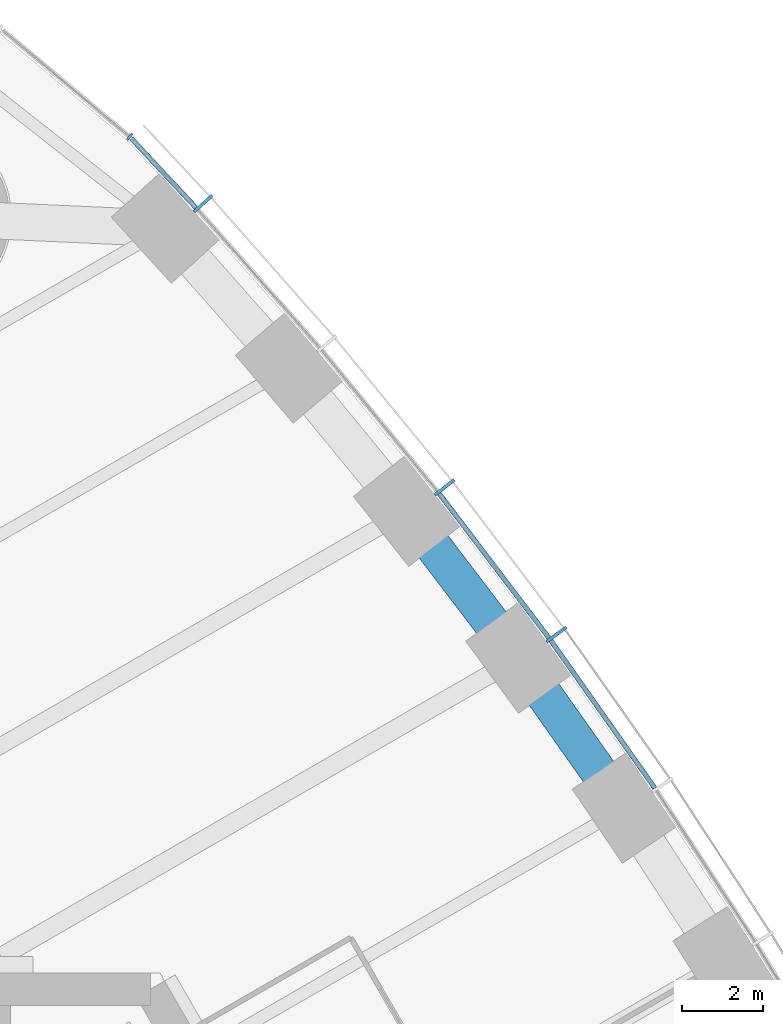
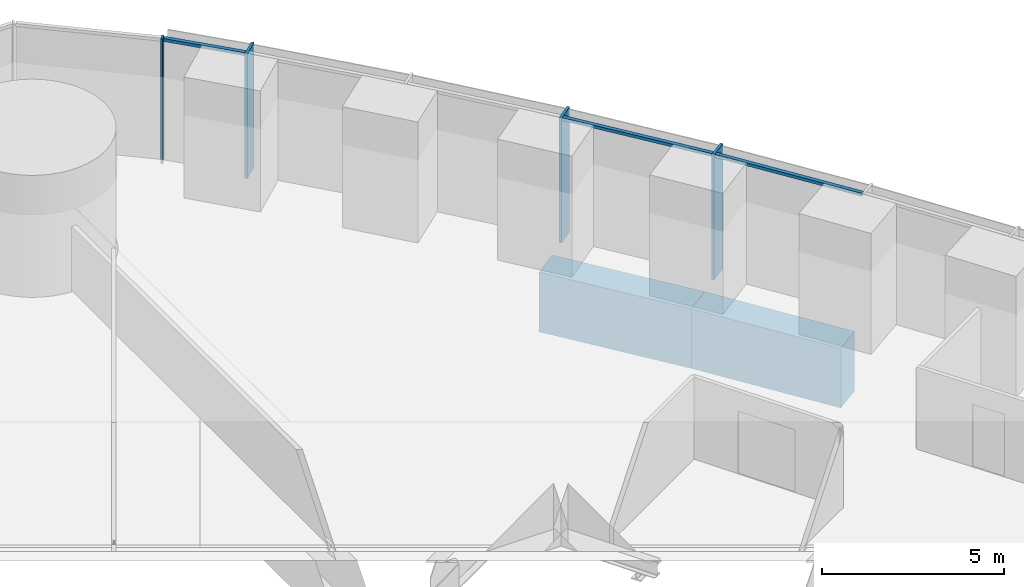
# One storey, part 6 of 18: 7 members, 2 beams, 2 elements without a shape of their own.
"""IFC4 building model written with IfcOpenShell, lengths in metres."""

from ifc_helpers import new_model, si_unit, direction, frame, origin, origin_2d, place, context, subcontext, project, spatial, rectangle, extrude, material, material_profile, profile_set, type_object, element, aggregate, save


model = new_model("IFC4")

# Units and contexts
model_context = context("Model", 3, precision=1e-05, world=origin(), true_north=direction((0.0, 1.0)))
body_context = subcontext(model_context, "Body", "Model", "MODEL_VIEW")
ifc_project = project(units=[si_unit("LENGTHUNIT", "METRE"), si_unit("AREAUNIT", "SQUARE_METRE"), si_unit("VOLUMEUNIT", "CUBIC_METRE"), si_unit("PLANEANGLEUNIT", "RADIAN"), si_unit("MASSUNIT", "GRAM", prefix="KILO")], contexts=[model_context])

# Site, building, storey
site_placement = place(None, origin())
site = spatial("IfcSite", under=ifc_project, at=site_placement, CompositionType="ELEMENT")
building_placement = place(site_placement, origin())
building = spatial("IfcBuilding", under=site, at=building_placement, Name="Trefoil Bronze Tower", CompositionType="ELEMENT")
storey_placement = place(building_placement, frame((0.0, 0.0, 111.5)))
storey = spatial("IfcBuildingStorey", under=building, at=storey_placement, Name="L25", CompositionType="ELEMENT", Elevation=111.5)

# Curtain wall, members
ifc_material_1 = material(Name="Tinted solar-control glass", Category="glass")
curtain_wall_type_1 = type_object("IfcCurtainWallType", Name="Bronze office curtain wall", PredefinedType="USERDEFINED", material=ifc_material_1)
curtain_wall_1_placement = place(storey_placement, origin())
curtain_wall_1 = element("IfcCurtainWall", 1, at=curtain_wall_1_placement, inside=storey, type_object=curtain_wall_type_1, Name="CW-A L25 F2", ObjectType="CURTAIN WALL", PredefinedType="USERDEFINED")
ifc_material_2 = material(Name="Bronze-finish aluminium", Category="aluminium")
ifc_material_profile_1 = material_profile(ifc_material_2, rectangle(XDim=0.60009765625, YDim=0.080078125, at=origin_2d()), Name="CW-A mullion")
ifc_profile_set_1 = profile_set([ifc_material_profile_1], Name="Bronze-finish aluminium")
member_type_1 = type_object("IfcMemberType", Name="Bronze office curtain wall mullion", PredefinedType="MULLION", material=ifc_profile_set_1)
member_1_placement = place(storey_placement, frame((15.764404296875, 24.7275390625, 0.0), z_axis=(0.0, 0.0, 1.0), x_axis=(-0.806874522901, -0.590722865897, 0.0)))
member_1 = element("IfcMember", 2, at=member_1_placement, type_object=member_type_1, Name="CW-A L25 F2 mullion 11", PredefinedType="MULLION", context=body_context, shape_type="SweptSolid", body=[
    extrude(rectangle(XDim=0.60009765625, YDim=0.080078125, at=origin_2d()), origin(), (0.0, 0.0, 1.0), 4.179931640625),
])
member_2_placement = place(storey_placement, frame((13.01220703125, 28.34716796875, 0.0), z_axis=(0.0, 0.0, 1.0), x_axis=(-0.78487913905, -0.619648882098, 0.0)))
member_2 = element("IfcMember", 3, at=member_2_placement, type_object=member_type_1, Name="CW-A L25 F2 mullion 12", PredefinedType="MULLION", context=body_context, shape_type="SweptSolid", body=[
    extrude(rectangle(XDim=0.60009765625, YDim=0.080078125, at=origin_2d()), origin(), (0.0, 0.0, 1.0), 4.179931640625),
])
member_3_placement = place(storey_placement, frame((7.070068359375, 35.332275390625, 0.0), z_axis=(0.0, 0.0, 1.0), x_axis=(-0.740360700327, -0.672209813534, 0.0)))
member_3 = element("IfcMember", 4, at=member_3_placement, type_object=member_type_1, Name="CW-A L25 F2 mullion 14", PredefinedType="MULLION", context=body_context, shape_type="SweptSolid", body=[
    extrude(rectangle(XDim=0.60009765625, YDim=0.080078125, at=origin_2d()), origin(), (0.0, 0.0, 1.0), 4.179931640625),
])
ifc_material_3 = material(Name="Bronze-finish aluminium", Category="aluminium")
ifc_material_profile_2 = material_profile(ifc_material_3, rectangle(XDim=0.1201171875, YDim=0.10009765625, at=origin_2d()), Name="CW-A transom")
ifc_profile_set_2 = profile_set([ifc_material_profile_2], Name="Bronze-finish aluminium")
member_type_2 = type_object("IfcMemberType", Name="Bronze office curtain wall transom", PredefinedType="USERDEFINED", material=ifc_profile_set_2)
member_4_placement = place(storey_placement, frame((18.18359375, 20.947021484375, 4.1298828125), z_axis=(-0.576017858824, 0.817437108478, 0.0), x_axis=(-0.817437108478, -0.576017858824, 0.0)))
member_4 = element("IfcMember", 5, at=member_4_placement, type_object=member_type_2, Name="CW-A L25 F2 transom 10", ObjectType="TRANSOM", PredefinedType="USERDEFINED", context=body_context, shape_type="SweptSolid", body=[
    extrude(rectangle(XDim=0.1201171875, YDim=0.10009765625, at=origin_2d()), origin(), (0.0, 0.0, 1.0), 4.4384765625),
])
member_5_placement = place(storey_placement, frame((15.57763671875, 24.642578125, 4.1298828125), z_axis=(-0.605229114572, 0.796051329296, 0.0), x_axis=(-0.796051329296, -0.605229114572, 0.0)))
member_5 = element("IfcMember", 6, at=member_5_placement, type_object=member_type_2, Name="CW-A L25 F2 transom 11", ObjectType="TRANSOM", PredefinedType="USERDEFINED", context=body_context, shape_type="SweptSolid", body=[
    extrude(rectangle(XDim=0.1201171875, YDim=0.10009765625, at=origin_2d()), origin(), (0.0, 0.0, 1.0), 4.456298828125),
])
member_6_placement = place(storey_placement, frame((6.893798828125, 35.22802734375, 4.1298828125), z_axis=(-0.682489214428, 0.730895664366, 0.0), x_axis=(-0.730895664366, -0.682489214428, 0.0)))
member_6 = element("IfcMember", 7, at=member_6_placement, type_object=member_type_2, Name="CW-A L25 F2 transom 14", ObjectType="TRANSOM", PredefinedType="USERDEFINED", context=body_context, shape_type="SweptSolid", body=[
    extrude(rectangle(XDim=0.1201171875, YDim=0.10009765625, at=origin_2d()), origin(), (0.0, 0.0, 1.0), 2.340087890625),
])
aggregate(curtain_wall_1, [member_1, member_2, member_3, member_4, member_5, member_6])

# Curtain wall, member
ifc_material_4 = material(Name="Tinted solar-control glass", Category="glass")
curtain_wall_type_2 = type_object("IfcCurtainWallType", Name="Bronze rounded corner curtain wall", PredefinedType="USERDEFINED", material=ifc_material_4)
curtain_wall_2_placement = place(storey_placement, origin())
curtain_wall_2 = element("IfcCurtainWall", 8, at=curtain_wall_2_placement, inside=storey, type_object=curtain_wall_type_2, Name="CW-B L25 K2", ObjectType="CURTAIN WALL", PredefinedType="USERDEFINED")
ifc_material_5 = material(Name="Bronze-finish aluminium", Category="aluminium")
ifc_material_profile_3 = material_profile(ifc_material_5, rectangle(XDim=0.199951171875, YDim=0.06005859375, at=origin_2d()), Name="CW-B mullion")
ifc_profile_set_3 = profile_set([ifc_material_profile_3], Name="Bronze-finish aluminium")
member_type_3 = type_object("IfcMemberType", Name="Bronze rounded corner curtain wall mullion", PredefinedType="MULLION", material=ifc_profile_set_3)
member_7_placement = place(storey_placement, frame((5.260498046875, 36.975830078125, 0.0), z_axis=(0.0, 0.0, 1.0), x_axis=(-0.642787609687, -0.766044443119, 0.0)))
member_7 = element("IfcMember", 9, at=member_7_placement, type_object=member_type_3, Name="CW-B L25 K2 mullion 1", PredefinedType="MULLION", context=body_context, shape_type="SweptSolid", body=[
    extrude(rectangle(XDim=0.199951171875, YDim=0.06005859375, at=origin_2d()), origin(), (0.0, 0.0, 1.0), 4.179931640625),
])
aggregate(curtain_wall_2, [member_7])

# Beams
ifc_material_6 = material(Name="Concrete B80", Category="concrete")
ifc_material_profile_4 = material_profile(ifc_material_6, rectangle(XDim=0.89990234375, YDim=2.0, at=origin_2d()), Name="RC 900x2000")
ifc_profile_set_4 = profile_set([ifc_material_profile_4], Name="Concrete B80")
beam_type = type_object("IfcBeamType", Name="Spandrel beam RC 900x2000", PredefinedType="SPANDREL", material=ifc_profile_set_4)
beam_1_placement = place(storey_placement, frame((17.43017578125, 20.45556640625, -1.199951171875), z_axis=(-0.576439228712, 0.81714002203, 0.0), x_axis=(-0.81714002203, -0.576439228712, 0.0)))
element("IfcBeam", 10, at=beam_1_placement, inside=storey, type_object=beam_type, Name="Spandrel F2.10 L25", PredefinedType="SPANDREL", context=body_context, shape_type="SweptSolid", body=[
    extrude(rectangle(XDim=0.89990234375, YDim=2.0, at=origin_2d()), origin(), (0.0, 0.0, 1.0), 4.5185546875),
])
beam_2_placement = place(storey_placement, frame((14.825439453125, 24.14794921875, -1.199951171875), z_axis=(-0.605898901788, 0.795541652468, 0.0), x_axis=(-0.795541652468, -0.605898901788, 0.0)))
element("IfcBeam", 11, at=beam_2_placement, inside=storey, type_object=beam_type, Name="Spandrel F2.11 L25", PredefinedType="SPANDREL", context=body_context, shape_type="SweptSolid", body=[
    extrude(rectangle(XDim=0.89990234375, YDim=2.0, at=origin_2d()), origin(), (0.0, 0.0, 1.0), 4.53662109375),
])

save(model, "model.ifc")
